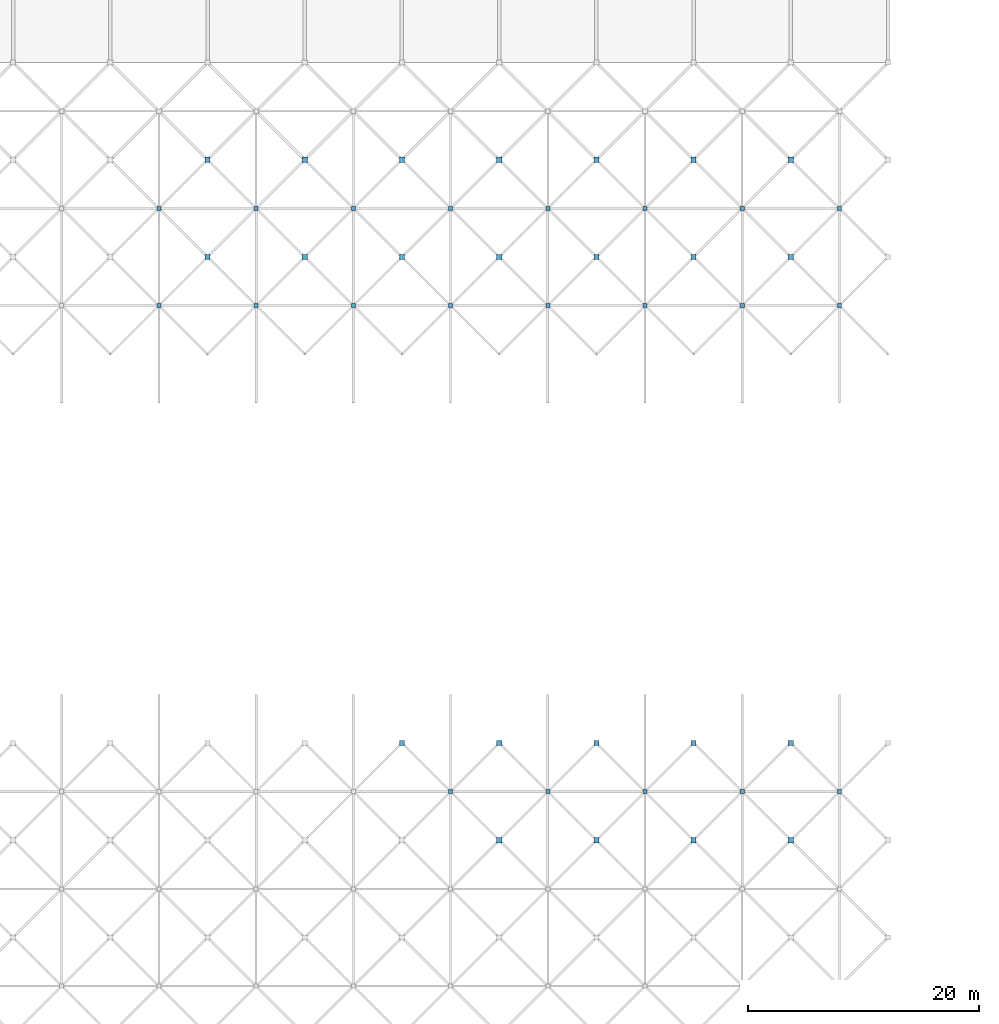
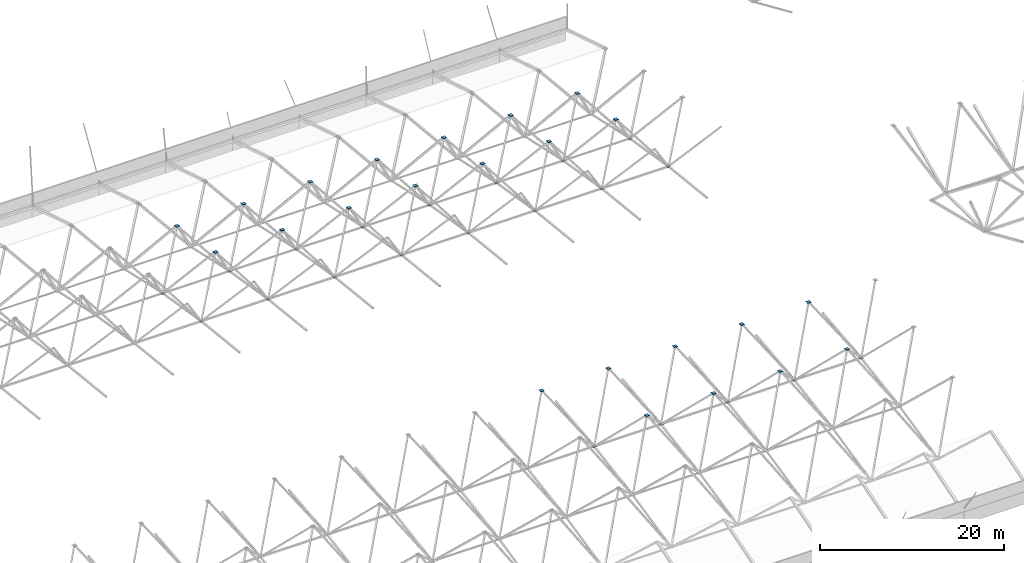
# One storey, part 64 of 85: 44 discrete accessories.
"""IFC4 building model written with IfcOpenShell, lengths in metres."""

from ifc_helpers import new_model, si_unit, direction, frame, origin, origin_2d, place, context, subcontext, project, spatial, rectangle, extrude, material, layer, layer_set, type_object, element, save


model = new_model("IFC4")

# Units and contexts
model_context = context("Model", 3, precision=1e-05, world=origin(), true_north=direction((0.0, 1.0)))
body_context = subcontext(model_context, "Body", "Model", "MODEL_VIEW")
ifc_project = project(units=[si_unit("LENGTHUNIT", "METRE"), si_unit("AREAUNIT", "SQUARE_METRE"), si_unit("VOLUMEUNIT", "CUBIC_METRE"), si_unit("PLANEANGLEUNIT", "RADIAN"), si_unit("MASSUNIT", "GRAM", prefix="KILO")], contexts=[model_context])

# Site, building, storey
site_placement = place(None, origin())
site = spatial("IfcSite", under=ifc_project, at=site_placement, CompositionType="ELEMENT")
building_placement = place(site_placement, origin())
building = spatial("IfcBuilding", under=site, at=building_placement, Name="Rain Tree Exposition and Congress Centre", CompositionType="ELEMENT")
storey_placement = place(building_placement, frame((0.0, 0.0, 15.0)))
storey = spatial("IfcBuildingStorey", under=building, at=storey_placement, Name="L03", CompositionType="ELEMENT", Elevation=15.0)

# Discrete accessories
ifc_material_1 = material(Name="Steel plate S355J2", Category="steel")
ifc_layer_1 = layer(ifc_material_1, 0.02001953125)
ifc_layer_set_1 = layer_set([ifc_layer_1], Name="Steel plate S355J2")
discrete_accessory_type_1 = type_object("IfcDiscreteAccessoryType", Name="Brace node plate 350x350x20", PredefinedType="BRACKET", material=ifc_layer_set_1)
for number, where, z_axis, x_axis, name in (
    (1, (88.199951171875, 130.199951171875, 3.964599609375), (0.0, 0.0, 1.0), (1.0, 0.0, 0.0), "Brace node plate 350"),
    (2, (96.60009765625, 130.199951171875, 3.964599609375), (0.0, 0.0, 1.0), (1.0, 0.0, 0.0), "Brace node plate 350"),
    (3, (105.0, 130.199951171875, 3.964599609375), (0.0, 0.0, 1.0), (1.0, 0.0, 0.0), "Brace node plate 350"),
    (4, (113.39990234375, 130.199951171875, 3.964599609375), (0.0, 0.0, 1.0), (1.0, 0.0, 0.0), "Brace node plate 350"),
    (5, (121.800048828125, 130.199951171875, 3.964599609375), (0.0, 0.0, 1.0), (1.0, 0.0, 0.0), "Brace node plate 350"),
    (6, (63.0, 172.199951171875, 3.964599609375), (0.0, 0.0, 1.0), (1.0, 0.0, 0.0), "Brace node plate 350"),
    (7, (71.39990234375, 172.199951171875, 3.964599609375), (0.0, 0.0, 1.0), (1.0, 0.0, 0.0), "Brace node plate 350"),
    (8, (79.800048828125, 172.199951171875, 3.964599609375), (0.0, 0.0, 1.0), (1.0, 0.0, 0.0), "Brace node plate 350"),
    (9, (88.199951171875, 172.199951171875, 3.964599609375), (0.0, 0.0, 1.0), (1.0, 0.0, 0.0), "Brace node plate 350"),
    (10, (96.60009765625, 172.199951171875, 3.964599609375), (0.0, 0.0, 1.0), (1.0, 0.0, 0.0), "Brace node plate 350"),
    (11, (105.0, 172.199951171875, 3.964599609375), (0.0, 0.0, 1.0), (1.0, 0.0, 0.0), "Brace node plate 350"),
    (12, (113.39990234375, 172.199951171875, 3.964599609375), (0.0, 0.0, 1.0), (1.0, 0.0, 0.0), "Brace node plate 350"),
    (13, (121.800048828125, 172.199951171875, 3.964599609375), (0.0, 0.0, 1.0), (1.0, 0.0, 0.0), "Brace node plate 350"),
    (14, (63.0, 180.60009765625, 2.58349609375), (0.0, 0.0, 1.0), (1.0, 0.0, 0.0), "Brace node plate 350"),
    (15, (71.39990234375, 180.60009765625, 2.58349609375), (0.0, 0.0, 1.0), (1.0, 0.0, 0.0), "Brace node plate 350"),
    (16, (79.800048828125, 180.60009765625, 2.58349609375), (0.0, 0.0, 1.0), (1.0, 0.0, 0.0), "Brace node plate 350"),
    (17, (88.199951171875, 180.60009765625, 2.58349609375), (0.0, 0.0, 1.0), (1.0, 0.0, 0.0), "Brace node plate 350"),
    (18, (96.60009765625, 180.60009765625, 2.58349609375), (0.0, 0.0, 1.0), (1.0, 0.0, 0.0), "Brace node plate 350"),
    (19, (105.0, 180.60009765625, 2.58349609375), (0.0, 0.0, 1.0), (1.0, 0.0, 0.0), "Brace node plate 350"),
    (20, (113.39990234375, 180.60009765625, 2.58349609375), (0.0, 0.0, 1.0), (1.0, 0.0, 0.0), "Brace node plate 350"),
    (21, (121.800048828125, 180.60009765625, 2.58349609375), (0.0, 0.0, 1.0), (1.0, 0.0, 0.0), "Brace node plate 350"),
):
    element("IfcDiscreteAccessory", number, at=place(storey_placement, frame(where, z_axis=z_axis, x_axis=x_axis)), inside=storey, type_object=discrete_accessory_type_1, Name=name, PredefinedType="BRACKET", context=body_context, shape_type="SweptSolid", body=[
        extrude(rectangle(XDim=0.35009765625, YDim=0.35009765625, at=origin_2d()), origin(), (0.0, 0.0, 1.0), 0.02001953125),
    ])
ifc_material_2 = material(Name="Steel plate S355J2", Category="steel")
ifc_layer_2 = layer(ifc_material_2, 0.02001953125)
ifc_layer_set_2 = layer_set([ifc_layer_2], Name="Steel plate S355J2")
discrete_accessory_type_2 = type_object("IfcDiscreteAccessoryType", Name="Brace node plate 450x450x20", PredefinedType="BRACKET", material=ifc_layer_set_2)
for number, where, z_axis, x_axis, name in (
    (22, (92.39990234375, 126.0, 9.18310546875), (0.0, 0.0, 1.0), (1.0, 0.0, 0.0), "Brace node plate 450"),
    (23, (100.800048828125, 126.0, 9.18310546875), (0.0, 0.0, 1.0), (1.0, 0.0, 0.0), "Brace node plate 450"),
    (24, (109.199951171875, 126.0, 9.18310546875), (0.0, 0.0, 1.0), (1.0, 0.0, 0.0), "Brace node plate 450"),
    (25, (117.60009765625, 126.0, 9.18310546875), (0.0, 0.0, 1.0), (1.0, 0.0, 0.0), "Brace node plate 450"),
    (26, (84.0, 134.39990234375, 10.3291015625), (0.0, 0.0, 1.0), (1.0, 0.0, 0.0), "Brace node plate 450"),
    (27, (92.39990234375, 134.39990234375, 10.3291015625), (0.0, 0.0, 1.0), (1.0, 0.0, 0.0), "Brace node plate 450"),
    (28, (100.800048828125, 134.39990234375, 10.3291015625), (0.0, 0.0, 1.0), (1.0, 0.0, 0.0), "Brace node plate 450"),
    (29, (109.199951171875, 134.39990234375, 10.3291015625), (0.0, 0.0, 1.0), (1.0, 0.0, 0.0), "Brace node plate 450"),
    (30, (117.60009765625, 134.39990234375, 10.3291015625), (0.0, 0.0, 1.0), (1.0, 0.0, 0.0), "Brace node plate 450"),
    (31, (67.199951171875, 176.39990234375, 9.18310546875), (0.0, 0.0, 1.0), (1.0, 0.0, 0.0), "Brace node plate 450"),
    (32, (75.60009765625, 176.39990234375, 9.18310546875), (0.0, 0.0, 1.0), (1.0, 0.0, 0.0), "Brace node plate 450"),
    (33, (84.0, 176.39990234375, 9.18310546875), (0.0, 0.0, 1.0), (1.0, 0.0, 0.0), "Brace node plate 450"),
    (34, (92.39990234375, 176.39990234375, 9.18310546875), (0.0, 0.0, 1.0), (1.0, 0.0, 0.0), "Brace node plate 450"),
    (35, (100.800048828125, 176.39990234375, 9.18310546875), (0.0, 0.0, 1.0), (1.0, 0.0, 0.0), "Brace node plate 450"),
    (36, (109.199951171875, 176.39990234375, 9.18310546875), (0.0, 0.0, 1.0), (1.0, 0.0, 0.0), "Brace node plate 450"),
    (37, (117.60009765625, 176.39990234375, 9.18310546875), (0.0, 0.0, 1.0), (1.0, 0.0, 0.0), "Brace node plate 450"),
    (38, (67.199951171875, 184.800048828125, 7.564208984375), (0.0, 0.0, 1.0), (1.0, 0.0, 0.0), "Brace node plate 450"),
    (39, (75.60009765625, 184.800048828125, 7.564208984375), (0.0, 0.0, 1.0), (1.0, 0.0, 0.0), "Brace node plate 450"),
    (40, (84.0, 184.800048828125, 7.564208984375), (0.0, 0.0, 1.0), (1.0, 0.0, 0.0), "Brace node plate 450"),
    (41, (92.39990234375, 184.800048828125, 7.564208984375), (0.0, 0.0, 1.0), (1.0, 0.0, 0.0), "Brace node plate 450"),
    (42, (100.800048828125, 184.800048828125, 7.564208984375), (0.0, 0.0, 1.0), (1.0, 0.0, 0.0), "Brace node plate 450"),
    (43, (109.199951171875, 184.800048828125, 7.564208984375), (0.0, 0.0, 1.0), (1.0, 0.0, 0.0), "Brace node plate 450"),
    (44, (117.60009765625, 184.800048828125, 7.564208984375), (0.0, 0.0, 1.0), (1.0, 0.0, 0.0), "Brace node plate 450"),
):
    element("IfcDiscreteAccessory", number, at=place(storey_placement, frame(where, z_axis=z_axis, x_axis=x_axis)), inside=storey, type_object=discrete_accessory_type_2, Name=name, PredefinedType="BRACKET", context=body_context, shape_type="SweptSolid", body=[
        extrude(rectangle(XDim=0.449951171875, YDim=0.449951171875, at=origin_2d()), origin(), (0.0, 0.0, 1.0), 0.02001953125),
    ])

save(model, "model.ifc")
